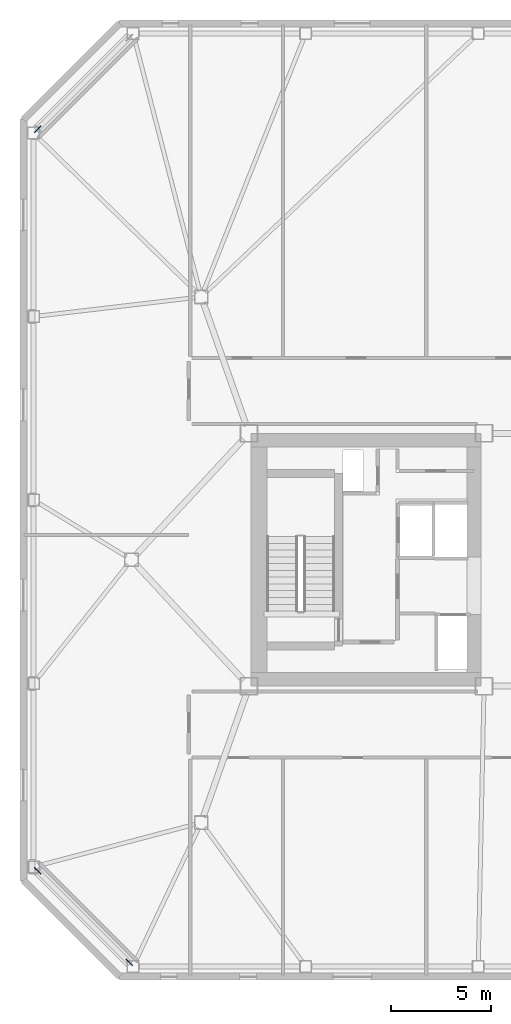
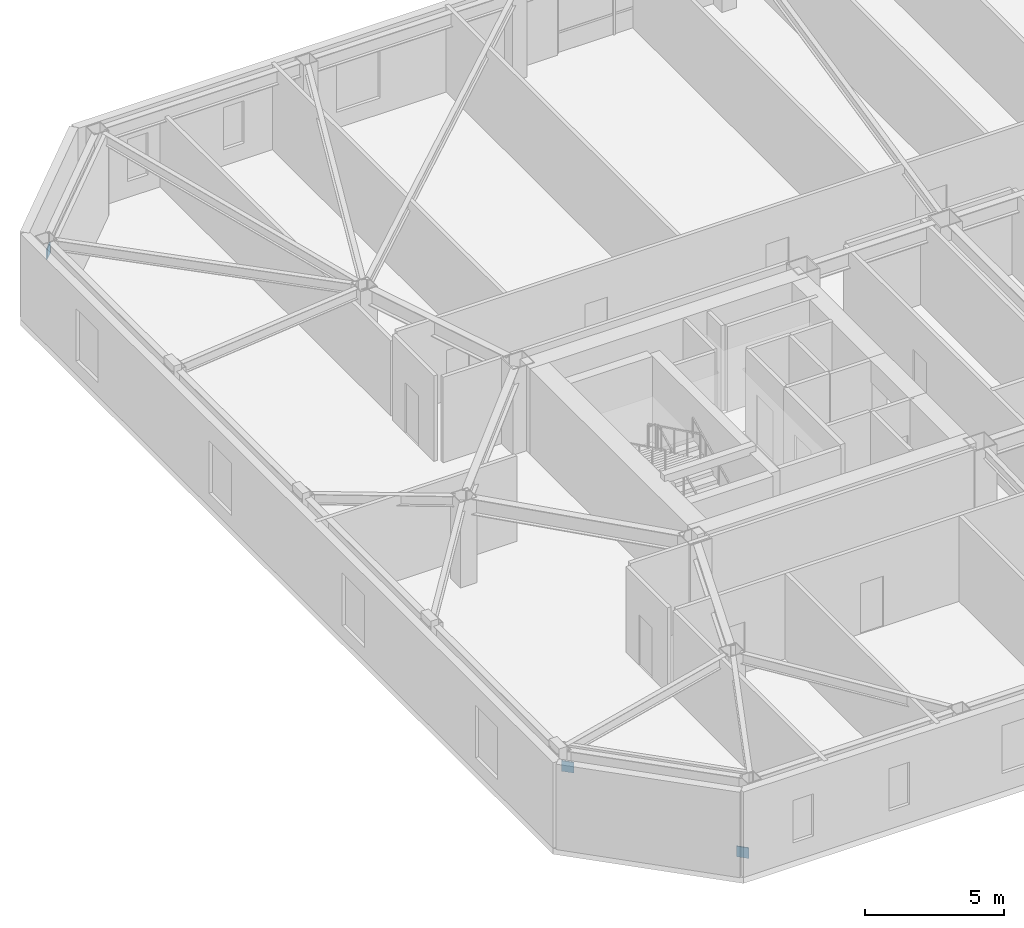
# One storey, part 15 of 18: 3 discrete accessories.
"""IFC4 building model written with IfcOpenShell, lengths in metres."""

from ifc_helpers import new_model, si_unit, direction, frame, origin, origin_2d, place, context, subcontext, project, spatial, rectangle, extrude, material, type_object, element, save


model = new_model("IFC4")

# Units and contexts
model_context = context("Model", 3, precision=1e-05, world=origin(), true_north=direction((0.0, 1.0)))
body_context = subcontext(model_context, "Body", "Model", "MODEL_VIEW")
ifc_project = project(units=[si_unit("LENGTHUNIT", "METRE"), si_unit("AREAUNIT", "SQUARE_METRE"), si_unit("VOLUMEUNIT", "CUBIC_METRE"), si_unit("PLANEANGLEUNIT", "RADIAN"), si_unit("MASSUNIT", "GRAM", prefix="KILO")], contexts=[model_context])

# Site, building, storey
site_placement = place(None, origin())
site = spatial("IfcSite", under=ifc_project, at=site_placement, CompositionType="ELEMENT")
building_placement = place(site_placement, origin())
building = spatial("IfcBuilding", under=site, at=building_placement, Name="Tavrogorsk Clinical Tower", CompositionType="ELEMENT")
storey_placement = place(building_placement, frame((0.0, 0.0, 196.199951171875)))
storey = spatial("IfcBuildingStorey", under=building, at=storey_placement, Name="L45", CompositionType="ELEMENT", Elevation=196.199951171875)

# Discrete accessories
ifc_material = material(Name="Structural steel S440", Category="steel")
discrete_accessory_type = type_object("IfcDiscreteAccessoryType", Name="GussetPlateBracket_25", PredefinedType="BRACKET", material=ifc_material)
for number, where, z_axis, x_axis, name in (
    (1, (-32.717529296875, 21.62255859375, 2.7470703125), (0.0, 0.0, 1.0), (-0.707106781187, -0.707106781187, 0.0), "L45 Brace Gusset Plate EXOCRN-L45-3-B"),
    (2, (-28.12255859375, -20.217529296875, 0.18310546875), (0.0, 0.0, 1.0), (-0.707106781187, 0.707106781187, 0.0), "L45 Brace Gusset Plate EXOCRN-L45-4-A"),
    (3, (-32.717529296875, -15.62255859375, 2.7470703125), (0.0, 0.0, 1.0), (-0.707106781187, 0.707106781187, 0.0), "L45 Brace Gusset Plate EXOCRN-L45-4-B"),
):
    element("IfcDiscreteAccessory", number, at=place(storey_placement, frame(where, z_axis=z_axis, x_axis=x_axis)), inside=storey, type_object=discrete_accessory_type, Name=name, PredefinedType="BRACKET", context=body_context, shape_type="SweptSolid", body=[
        extrude(rectangle(XDim=0.4599609375, YDim=0.0400390625, at=origin_2d()), origin(), (0.0, 0.0, 1.0), 0.4599609375),
    ])

save(model, "model.ifc")
